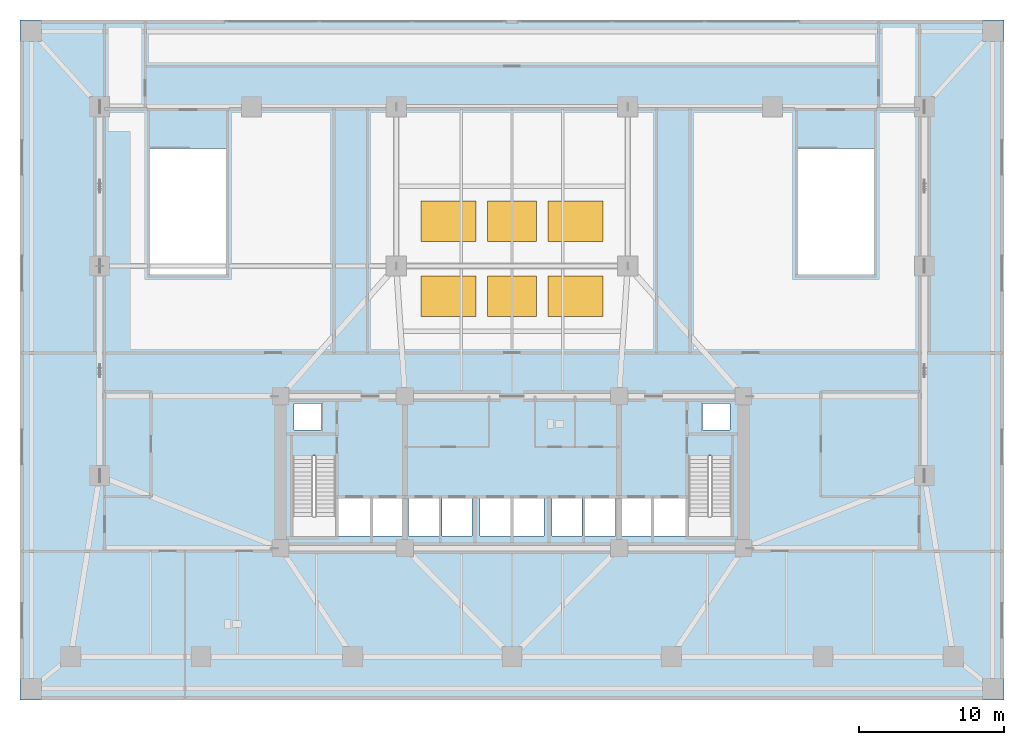
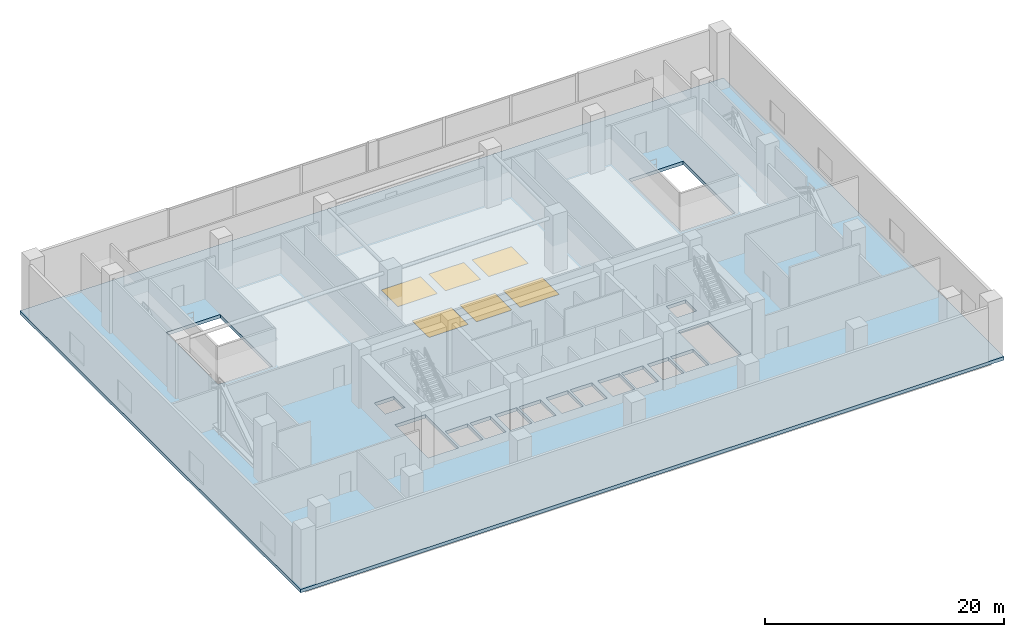
# One storey, part 7 of 16: 6 windows, 1 slab, 6 openings.
"""IFC4 building model written with IfcOpenShell, lengths in metres."""

from ifc_helpers import new_model, si_unit, direction, frame, origin, origin_2d, place, context, subcontext, project, spatial, polyline, rectangle, outline, extrude, material, layer, layer_set, type_object, element, fill, save


model = new_model("IFC4")

# Units and contexts
model_context = context("Model", 3, precision=1e-05, world=origin(), true_north=direction((0.0, 1.0)))
body_context = subcontext(model_context, "Body", "Model", "MODEL_VIEW")
ifc_project = project(units=[si_unit("LENGTHUNIT", "METRE"), si_unit("AREAUNIT", "SQUARE_METRE"), si_unit("VOLUMEUNIT", "CUBIC_METRE"), si_unit("PLANEANGLEUNIT", "RADIAN"), si_unit("MASSUNIT", "GRAM", prefix="KILO")], contexts=[model_context])

# Site, building, storey
site_placement = place(None, origin())
site = spatial("IfcSite", under=ifc_project, at=site_placement, CompositionType="ELEMENT")
building_placement = place(site_placement, origin())
building = spatial("IfcBuilding", under=site, at=building_placement, Name="Solmavex Isthmus Hotel", CompositionType="ELEMENT")
storey_placement = place(building_placement, frame((0.0, 0.0, 20.39990234375)))
storey = spatial("IfcBuildingStorey", under=building, at=storey_placement, Name="L05", CompositionType="ELEMENT", Elevation=20.39990234375)

# Slab, openings, windows
ifc_material_1 = material(Name="Concrete C40/50", Category="concrete")
ifc_layer = layer(ifc_material_1, 0.35009765625)
ifc_layer_set = layer_set([ifc_layer], Name="Concrete C40/50")
slab_type = type_object("IfcSlabType", Name="SLAB-POD-350", PredefinedType="FLOOR", material=ifc_layer_set)
slab_placement = place(storey_placement, frame((0.0, 0.0, -0.349853515625)))
slab = element("IfcSlab", 1, at=slab_placement, inside=storey, type_object=slab_type, Name="Podium Floor Slab L05", PredefinedType="FLOOR", context=body_context, shape_type="SweptSolid", body=[
    extrude(outline(polyline([(-34.0, -23.5), (34.0, -23.5), (34.0, 23.5), (-34.0, 23.5), (-34.0, -23.5)]), holes=[polyline([(-15.14990234375, -6.617919921875), (-15.14990234375, -12.199951171875), (-12.199951171875, -12.199951171875), (-12.199951171875, -6.617919921875), (-15.14990234375, -6.617919921875)]), polyline([(12.199951171875, -6.617919921875), (12.199951171875, -12.199951171875), (15.14990234375, -12.199951171875), (15.14990234375, -6.617919921875), (12.199951171875, -6.617919921875)]), polyline([(19.75, 14.632080078125), (19.75, 5.89990234375), (25.0, 5.89990234375), (25.0, 14.632080078125), (19.75, 14.632080078125)]), polyline([(-25.0, 14.632080078125), (-25.0, 5.89990234375), (-19.75, 5.89990234375), (-19.75, 14.632080078125), (-25.0, 14.632080078125)]), polyline([(-12.0, -12.14990234375), (-9.800048828125, -12.14990234375), (-9.800048828125, -9.550048828125), (-12.0, -9.550048828125), (-12.0, -12.14990234375)]), polyline([(9.800048828125, -12.14990234375), (12.0, -12.14990234375), (12.0, -9.550048828125), (9.800048828125, -9.550048828125), (9.800048828125, -12.14990234375)]), polyline([(-9.60009765625, -12.14990234375), (-7.60009765625, -12.14990234375), (-7.60009765625, -9.550048828125), (-9.60009765625, -9.550048828125), (-9.60009765625, -12.14990234375)]), polyline([(7.60009765625, -12.14990234375), (9.60009765625, -12.14990234375), (9.60009765625, -9.550048828125), (7.60009765625, -9.550048828125), (7.60009765625, -12.14990234375)]), polyline([(-7.14990234375, -12.14990234375), (-5.050048828125, -12.14990234375), (-5.050048828125, -9.550048828125), (-7.14990234375, -9.550048828125), (-7.14990234375, -12.14990234375)]), polyline([(-4.85009765625, -12.14990234375), (-2.75, -12.14990234375), (-2.75, -9.550048828125), (-4.85009765625, -9.550048828125), (-4.85009765625, -12.14990234375)]), polyline([(-2.199951171875, -12.14990234375), (-0.10009765625, -12.14990234375), (-0.10009765625, -9.550048828125), (-2.199951171875, -9.550048828125), (-2.199951171875, -12.14990234375)]), polyline([(0.10009765625, -12.14990234375), (2.199951171875, -12.14990234375), (2.199951171875, -9.550048828125), (0.10009765625, -9.550048828125), (0.10009765625, -12.14990234375)]), polyline([(2.75, -12.14990234375), (4.85009765625, -12.14990234375), (4.85009765625, -9.550048828125), (2.75, -9.550048828125), (2.75, -12.14990234375)]), polyline([(5.050048828125, -12.14990234375), (7.14990234375, -12.14990234375), (7.14990234375, -9.550048828125), (5.050048828125, -9.550048828125), (5.050048828125, -12.14990234375)]), polyline([(-15.050048828125, -4.85009765625), (-13.14990234375, -4.85009765625), (-13.14990234375, -3.0), (-15.050048828125, -3.0), (-15.050048828125, -4.85009765625)]), polyline([(13.14990234375, -4.85009765625), (15.050048828125, -4.85009765625), (15.050048828125, -3.0), (13.14990234375, -3.0), (13.14990234375, -4.85009765625)])]), origin(), (0.0, 0.0, 1.0), 0.349853515625),
])
opening_1_placement = place(slab_placement, frame((-4.39990234375, 4.39990234375, 0.0)))
opening_1 = element("IfcOpeningElement", 2, at=opening_1_placement, cuts=slab, Name="Opening SK-01", PredefinedType="OPENING", context=body_context, shape_type="SweptSolid", body=[
    extrude(rectangle(XDim=3.800048828125, YDim=2.800048828125, at=origin_2d()), frame((0.0, 0.0, -0.010009765625)), (0.0, 0.0, 1.0), 0.369873046875),
])
opening_2_placement = place(slab_placement, frame((0.0, 4.39990234375, 0.0)))
opening_2 = element("IfcOpeningElement", 3, at=opening_2_placement, cuts=slab, Name="Opening SK-02", PredefinedType="OPENING", context=body_context, shape_type="SweptSolid", body=[
    extrude(rectangle(XDim=3.39990234375, YDim=2.800048828125, at=origin_2d()), frame((0.0, 0.0, -0.010009765625)), (0.0, 0.0, 1.0), 0.369873046875),
])
opening_3_placement = place(slab_placement, frame((4.39990234375, 4.39990234375, 0.0)))
opening_3 = element("IfcOpeningElement", 4, at=opening_3_placement, cuts=slab, Name="Opening SK-01", PredefinedType="OPENING", context=body_context, shape_type="SweptSolid", body=[
    extrude(rectangle(XDim=3.800048828125, YDim=2.800048828125, at=origin_2d()), frame((0.0, 0.0, -0.010009765625)), (0.0, 0.0, 1.0), 0.369873046875),
])
opening_4_placement = place(slab_placement, frame((-4.39990234375, 9.60009765625, 0.0)))
opening_4 = element("IfcOpeningElement", 5, at=opening_4_placement, cuts=slab, Name="Opening SK-01", PredefinedType="OPENING", context=body_context, shape_type="SweptSolid", body=[
    extrude(rectangle(XDim=3.800048828125, YDim=2.800048828125, at=origin_2d()), frame((0.0, 0.0, -0.010009765625)), (0.0, 0.0, 1.0), 0.369873046875),
])
opening_5_placement = place(slab_placement, frame((0.0, 9.60009765625, 0.0)))
opening_5 = element("IfcOpeningElement", 6, at=opening_5_placement, cuts=slab, Name="Opening SK-02", PredefinedType="OPENING", context=body_context, shape_type="SweptSolid", body=[
    extrude(rectangle(XDim=3.39990234375, YDim=2.800048828125, at=origin_2d()), frame((0.0, 0.0, -0.010009765625)), (0.0, 0.0, 1.0), 0.369873046875),
])
opening_6_placement = place(slab_placement, frame((4.39990234375, 9.60009765625, 0.0)))
opening_6 = element("IfcOpeningElement", 7, at=opening_6_placement, cuts=slab, Name="Opening SK-01", PredefinedType="OPENING", context=body_context, shape_type="SweptSolid", body=[
    extrude(rectangle(XDim=3.800048828125, YDim=2.800048828125, at=origin_2d()), frame((0.0, 0.0, -0.010009765625)), (0.0, 0.0, 1.0), 0.369873046875),
])
ifc_material_2 = material(Name="Clear low-E laminated glass", Category="glass")
window_type_1 = type_object("IfcWindowType", Name="WIN-SKY-3400", PartitioningType="SINGLE_PANEL", PredefinedType="SKYLIGHT", material=ifc_material_2)
window_1_placement = place(opening_2_placement, frame((0.0, 0.0, 0.2998046875)))
window_1 = element("IfcWindow", 8, at=window_1_placement, inside=storey, type_object=window_type_1, Name="Atrium Top-Lit Skylight SK2", OverallHeight=2.800048828125, OverallWidth=3.39990234375, PartitioningType="SINGLE_PANEL", PredefinedType="SKYLIGHT", context=body_context, shape_type="SweptSolid", body=[
    extrude(rectangle(XDim=3.39990234375, YDim=2.800048828125, at=origin_2d()), origin(), (0.0, 0.0, 1.0), 0.050048828125),
])
fill(opening_2, window_1)
window_2_placement = place(opening_5_placement, frame((0.0, 0.0, 0.2998046875)))
window_2 = element("IfcWindow", 9, at=window_2_placement, inside=storey, type_object=window_type_1, Name="Atrium Top-Lit Skylight SK5", OverallHeight=2.800048828125, OverallWidth=3.39990234375, PartitioningType="SINGLE_PANEL", PredefinedType="SKYLIGHT", context=body_context, shape_type="SweptSolid", body=[
    extrude(rectangle(XDim=3.39990234375, YDim=2.800048828125, at=origin_2d()), origin(), (0.0, 0.0, 1.0), 0.050048828125),
])
fill(opening_5, window_2)
window_type_2 = type_object("IfcWindowType", Name="WIN-SKY-3800", PartitioningType="SINGLE_PANEL", PredefinedType="SKYLIGHT", material=ifc_material_2)
window_3_placement = place(opening_1_placement, frame((0.0, 0.0, 0.2998046875)))
window_3 = element("IfcWindow", 10, at=window_3_placement, inside=storey, type_object=window_type_2, Name="Atrium Top-Lit Skylight SK1", OverallHeight=2.800048828125, OverallWidth=3.800048828125, PartitioningType="SINGLE_PANEL", PredefinedType="SKYLIGHT", context=body_context, shape_type="SweptSolid", body=[
    extrude(rectangle(XDim=3.800048828125, YDim=2.800048828125, at=origin_2d()), origin(), (0.0, 0.0, 1.0), 0.050048828125),
])
fill(opening_1, window_3)
window_4_placement = place(opening_3_placement, frame((0.0, 0.0, 0.2998046875)))
window_4 = element("IfcWindow", 11, at=window_4_placement, inside=storey, type_object=window_type_2, Name="Atrium Top-Lit Skylight SK3", OverallHeight=2.800048828125, OverallWidth=3.800048828125, PartitioningType="SINGLE_PANEL", PredefinedType="SKYLIGHT", context=body_context, shape_type="SweptSolid", body=[
    extrude(rectangle(XDim=3.800048828125, YDim=2.800048828125, at=origin_2d()), origin(), (0.0, 0.0, 1.0), 0.050048828125),
])
fill(opening_3, window_4)
window_5_placement = place(opening_4_placement, frame((0.0, 0.0, 0.2998046875)))
window_5 = element("IfcWindow", 12, at=window_5_placement, inside=storey, type_object=window_type_2, Name="Atrium Top-Lit Skylight SK4", OverallHeight=2.800048828125, OverallWidth=3.800048828125, PartitioningType="SINGLE_PANEL", PredefinedType="SKYLIGHT", context=body_context, shape_type="SweptSolid", body=[
    extrude(rectangle(XDim=3.800048828125, YDim=2.800048828125, at=origin_2d()), origin(), (0.0, 0.0, 1.0), 0.050048828125),
])
fill(opening_4, window_5)
window_6_placement = place(opening_6_placement, frame((0.0, 0.0, 0.2998046875)))
window_6 = element("IfcWindow", 13, at=window_6_placement, inside=storey, type_object=window_type_2, Name="Atrium Top-Lit Skylight SK6", OverallHeight=2.800048828125, OverallWidth=3.800048828125, PartitioningType="SINGLE_PANEL", PredefinedType="SKYLIGHT", context=body_context, shape_type="SweptSolid", body=[
    extrude(rectangle(XDim=3.800048828125, YDim=2.800048828125, at=origin_2d()), origin(), (0.0, 0.0, 1.0), 0.050048828125),
])
fill(opening_6, window_6)

save(model, "model.ifc")
